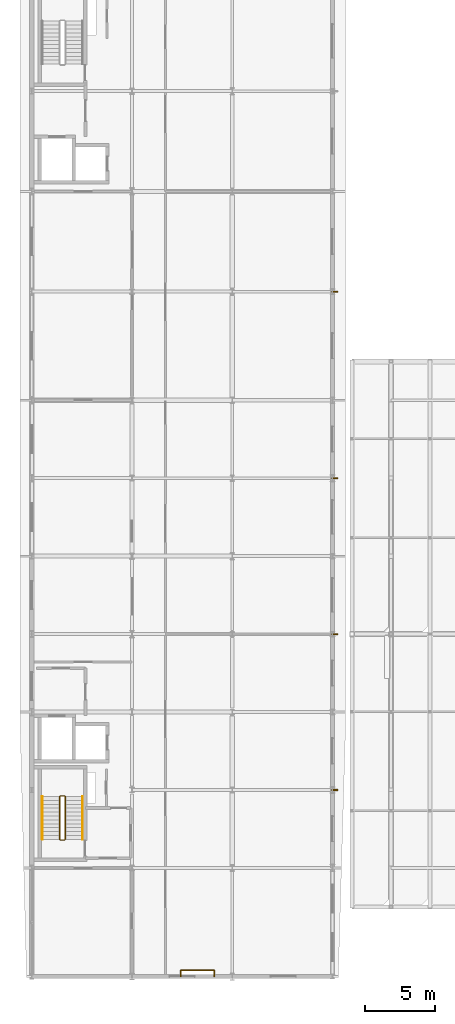
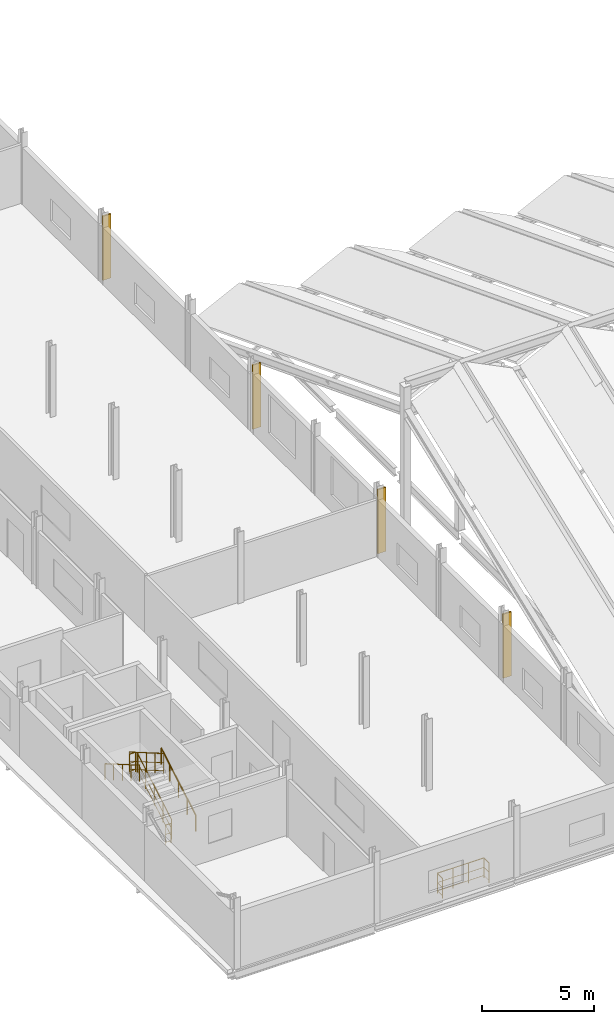
# One storey, part 47 of 49: 9 railings, 4 shading devices.
"""IFC4 building model written with IfcOpenShell, lengths in metres."""

from ifc_helpers import new_model, si_unit, direction, frame, origin, origin_2d, place, context, subcontext, project, spatial, rectangle, circle, extrude, material, type_object, element, save


model = new_model("IFC4")

# Units and contexts
model_context = context("Model", 3, precision=1e-05, world=origin(), true_north=direction((0.0, 1.0)))
body_context = subcontext(model_context, "Body", "Model", "MODEL_VIEW")
ifc_project = project(units=[si_unit("LENGTHUNIT", "METRE"), si_unit("AREAUNIT", "SQUARE_METRE"), si_unit("VOLUMEUNIT", "CUBIC_METRE"), si_unit("PLANEANGLEUNIT", "RADIAN"), si_unit("MASSUNIT", "GRAM", prefix="KILO")], contexts=[model_context])

# Site, building, storey
site_placement = place(None, origin())
site = spatial("IfcSite", under=ifc_project, at=site_placement, CompositionType="ELEMENT")
building_placement = place(site_placement, origin())
building = spatial("IfcBuilding", under=site, at=building_placement, Name="Vinh Khe Railworks Police Headquarters", CompositionType="ELEMENT")
storey_placement = place(building_placement, frame((0.0, 0.0, 17.10009765625)))
storey = spatial("IfcBuildingStorey", under=building, at=storey_placement, Name="L04", CompositionType="ELEMENT", Elevation=17.10009765625)

# Railings
ifc_material_1 = material(Name="Painted tubular steel", Category="steel")
railing_type_1 = type_object("IfcRailingType", Name="RL-GUARD-1100", PredefinedType="GUARDRAIL", material=ifc_material_1)
railing_1_placement = place(storey_placement, frame((3.0, 27.25, 0.162353515625)))
element("IfcRailing", 1, at=railing_1_placement, inside=storey, type_object=railing_type_1, Name="L04 ST-01 stair guard 1", PredefinedType="GUARDRAIL", context=body_context, shape_type="SweptSolid", body=[
    extrude(circle(Radius=0.02392578125, at=origin_2d()), frame((0.0, 0.0, 1.076171875), z_axis=(0.0, 0.864890721111, 0.501960198159), x_axis=(-1.0, 0.0, 0.0)), (0.0, 0.0, 1.0), 3.561279296875),
    extrude(circle(Radius=0.01416015625, at=origin_2d()), frame((0.0, 0.0, 0.132080078125), z_axis=(0.0, 0.864890721111, 0.501960198159), x_axis=(-1.0, 0.0, 0.0)), (0.0, 0.0, 1.0), 3.561279296875),
    extrude(circle(Radius=0.01416015625, at=origin_2d()), frame((0.0, 0.0, 0.572021484375), z_axis=(0.0, 0.864890721111, 0.501960198159), x_axis=(-1.0, 0.0, 0.0)), (0.0, 0.0, 1.0), 3.561279296875),
    extrude(circle(Radius=0.02099609375, at=origin_2d()), origin(), (0.0, 0.0, 1.0), 1.052001953125),
    extrude(circle(Radius=0.02099609375, at=origin_2d()), frame((0.0, 0.77001953125, 0.44677734375)), (0.0, 0.0, 1.0), 1.052001953125),
    extrude(circle(Radius=0.02099609375, at=origin_2d()), frame((0.0, 1.5400390625, 0.893798828125)), (0.0, 0.0, 1.0), 1.052001953125),
    extrude(circle(Radius=0.02099609375, at=origin_2d()), frame((0.0, 2.31005859375, 1.3408203125)), (0.0, 0.0, 1.0), 1.052001953125),
    extrude(circle(Radius=0.02099609375, at=origin_2d()), frame((0.0, 3.080078125, 1.78759765625)), (0.0, 0.0, 1.0), 1.052001953125),
])
railing_2_placement = place(storey_placement, frame((2.949951171875, 30.3798828125, 1.949951171875)))
element("IfcRailing", 2, at=railing_2_placement, inside=storey, type_object=railing_type_1, Name="L04 ST-01 stair guard 2", PredefinedType="GUARDRAIL", context=body_context, shape_type="SweptSolid", body=[
    extrude(circle(Radius=0.02392578125, at=origin_2d()), frame((0.0, 0.0, 1.076171875), z_axis=(-1.0, 0.0, 0.0), x_axis=(0.0, -1.0, 0.0)), (0.0, 0.0, 1.0), 0.300048828125),
    extrude(circle(Radius=0.01416015625, at=origin_2d()), frame((0.0, 0.0, 0.132080078125), z_axis=(-1.0, 0.0, 0.0), x_axis=(0.0, -1.0, 0.0)), (0.0, 0.0, 1.0), 0.300048828125),
    extrude(circle(Radius=0.01416015625, at=origin_2d()), frame((0.0, 0.0, 0.572021484375), z_axis=(-1.0, 0.0, 0.0), x_axis=(0.0, -1.0, 0.0)), (0.0, 0.0, 1.0), 0.300048828125),
    extrude(circle(Radius=0.02099609375, at=origin_2d()), origin(), (0.0, 0.0, 1.0), 1.052001953125),
    extrude(circle(Radius=0.02099609375, at=origin_2d()), frame((-0.300048828125, 0.0, 0.0)), (0.0, 0.0, 1.0), 1.052001953125),
])
railing_3_placement = place(storey_placement, frame((2.60009765625, 30.330078125, 2.1123046875)))
element("IfcRailing", 3, at=railing_3_placement, inside=storey, type_object=railing_type_1, Name="L04 ST-01 stair guard 3", PredefinedType="GUARDRAIL", context=body_context, shape_type="SweptSolid", body=[
    extrude(circle(Radius=0.02392578125, at=origin_2d()), frame((0.0, 0.0, 1.076171875), z_axis=(0.0, -0.864890721111, 0.501960198159), x_axis=(1.0, 0.0, 0.0)), (0.0, 0.0, 1.0), 3.561279296875),
    extrude(circle(Radius=0.01416015625, at=origin_2d()), frame((0.0, 0.0, 0.132080078125), z_axis=(0.0, -0.864890721111, 0.501960198159), x_axis=(1.0, 0.0, 0.0)), (0.0, 0.0, 1.0), 3.561279296875),
    extrude(circle(Radius=0.01416015625, at=origin_2d()), frame((0.0, 0.0, 0.572021484375), z_axis=(0.0, -0.864890721111, 0.501960198159), x_axis=(1.0, 0.0, 0.0)), (0.0, 0.0, 1.0), 3.561279296875),
    extrude(circle(Radius=0.02099609375, at=origin_2d()), origin(), (0.0, 0.0, 1.0), 1.052001953125),
    extrude(circle(Radius=0.02099609375, at=origin_2d()), frame((0.0, -0.77001953125, 0.44677734375)), (0.0, 0.0, 1.0), 1.052001953125),
    extrude(circle(Radius=0.02099609375, at=origin_2d()), frame((0.0, -1.5400390625, 0.893798828125)), (0.0, 0.0, 1.0), 1.052001953125),
    extrude(circle(Radius=0.02099609375, at=origin_2d()), frame((0.0, -2.31005859375, 1.3408203125)), (0.0, 0.0, 1.0), 1.052001953125),
    extrude(circle(Radius=0.02099609375, at=origin_2d()), frame((0.0, -3.080078125, 1.78759765625)), (0.0, 0.0, 1.0), 1.052001953125),
])
railing_4_placement = place(storey_placement, frame((2.949951171875, 27.199951171875, 0.0)))
element("IfcRailing", 4, at=railing_4_placement, inside=storey, type_object=railing_type_1, Name="L04 ST-01 stair guard 4", PredefinedType="GUARDRAIL", context=body_context, shape_type="SweptSolid", body=[
    extrude(circle(Radius=0.02392578125, at=origin_2d()), frame((0.0, 0.0, 1.076171875), z_axis=(-1.0, 0.0, 0.0), x_axis=(0.0, -1.0, 0.0)), (0.0, 0.0, 1.0), 0.300048828125),
    extrude(circle(Radius=0.01416015625, at=origin_2d()), frame((0.0, 0.0, 0.132080078125), z_axis=(-1.0, 0.0, 0.0), x_axis=(0.0, -1.0, 0.0)), (0.0, 0.0, 1.0), 0.300048828125),
    extrude(circle(Radius=0.01416015625, at=origin_2d()), frame((0.0, 0.0, 0.572021484375), z_axis=(-1.0, 0.0, 0.0), x_axis=(0.0, -1.0, 0.0)), (0.0, 0.0, 1.0), 0.300048828125),
    extrude(circle(Radius=0.02099609375, at=origin_2d()), origin(), (0.0, 0.0, 1.0), 1.052001953125),
    extrude(circle(Radius=0.02099609375, at=origin_2d()), frame((-0.300048828125, 0.0, 0.0)), (0.0, 0.0, 1.0), 1.052001953125),
])
railing_5_placement = place(storey_placement, frame((11.300048828125, 17.39990234375, 0.0)))
element("IfcRailing", 5, at=railing_5_placement, inside=storey, type_object=railing_type_1, Name="Slab Corner Notch Guard L04-96", PredefinedType="GUARDRAIL", context=body_context, shape_type="SweptSolid", body=[
    extrude(circle(Radius=0.02392578125, at=origin_2d()), frame((0.0, 0.0, 1.09619140625), z_axis=(0.0, 1.0, 0.0), x_axis=(-1.0, 0.0, 0.0)), (0.0, 0.0, 1.0), 0.4501953125),
    extrude(circle(Radius=0.01416015625, at=origin_2d()), frame((0.0, 0.0, 0.134521484375), z_axis=(0.0, 1.0, 0.0), x_axis=(-1.0, 0.0, 0.0)), (0.0, 0.0, 1.0), 0.4501953125),
    extrude(circle(Radius=0.01416015625, at=origin_2d()), frame((0.0, 0.0, 0.58251953125), z_axis=(0.0, 1.0, 0.0), x_axis=(-1.0, 0.0, 0.0)), (0.0, 0.0, 1.0), 0.4501953125),
    extrude(circle(Radius=0.02099609375, at=origin_2d()), origin(), (0.0, 0.0, 1.0), 1.072021484375),
    extrude(circle(Radius=0.02099609375, at=origin_2d()), frame((0.0, 0.4501953125, 0.0)), (0.0, 0.0, 1.0), 1.072021484375),
])
railing_6_placement = place(storey_placement, frame((11.300048828125, 17.85009765625, 0.0)))
element("IfcRailing", 6, at=railing_6_placement, inside=storey, type_object=railing_type_1, Name="Slab Corner Notch Guard L04-97", PredefinedType="GUARDRAIL", context=body_context, shape_type="SweptSolid", body=[
    extrude(circle(Radius=0.02392578125, at=origin_2d()), frame((0.0, 0.0, 1.09619140625), z_axis=(1.0, 0.0, 0.0), x_axis=(0.0, 1.0, 0.0)), (0.0, 0.0, 1.0), 2.39990234375),
    extrude(circle(Radius=0.01416015625, at=origin_2d()), frame((0.0, 0.0, 0.134521484375), z_axis=(1.0, 0.0, 0.0), x_axis=(0.0, 1.0, 0.0)), (0.0, 0.0, 1.0), 2.39990234375),
    extrude(circle(Radius=0.01416015625, at=origin_2d()), frame((0.0, 0.0, 0.58251953125), z_axis=(1.0, 0.0, 0.0), x_axis=(0.0, 1.0, 0.0)), (0.0, 0.0, 1.0), 2.39990234375),
    extrude(circle(Radius=0.02099609375, at=origin_2d()), origin(), (0.0, 0.0, 1.0), 1.072021484375),
    extrude(circle(Radius=0.02099609375, at=origin_2d()), frame((0.800048828125, 0.0, 0.0)), (0.0, 0.0, 1.0), 1.072021484375),
    extrude(circle(Radius=0.02099609375, at=origin_2d()), frame((1.599853515625, 0.0, 0.0)), (0.0, 0.0, 1.0), 1.072021484375),
    extrude(circle(Radius=0.02099609375, at=origin_2d()), frame((2.39990234375, 0.0, 0.0)), (0.0, 0.0, 1.0), 1.072021484375),
])
railing_7_placement = place(storey_placement, frame((13.699951171875, 17.85009765625, 0.0)))
element("IfcRailing", 7, at=railing_7_placement, inside=storey, type_object=railing_type_1, Name="Slab Corner Notch Guard L04-98", PredefinedType="GUARDRAIL", context=body_context, shape_type="SweptSolid", body=[
    extrude(circle(Radius=0.02392578125, at=origin_2d()), frame((0.0, 0.0, 1.09619140625), z_axis=(0.0, -1.0, 0.0), x_axis=(1.0, 0.0, 0.0)), (0.0, 0.0, 1.0), 0.4501953125),
    extrude(circle(Radius=0.01416015625, at=origin_2d()), frame((0.0, 0.0, 0.134521484375), z_axis=(0.0, -1.0, 0.0), x_axis=(1.0, 0.0, 0.0)), (0.0, 0.0, 1.0), 0.4501953125),
    extrude(circle(Radius=0.01416015625, at=origin_2d()), frame((0.0, 0.0, 0.58251953125), z_axis=(0.0, -1.0, 0.0), x_axis=(1.0, 0.0, 0.0)), (0.0, 0.0, 1.0), 0.4501953125),
    extrude(circle(Radius=0.02099609375, at=origin_2d()), origin(), (0.0, 0.0, 1.0), 1.072021484375),
    extrude(circle(Radius=0.02099609375, at=origin_2d()), frame((0.0, -0.4501953125, 0.0)), (0.0, 0.0, 1.0), 1.072021484375),
])
ifc_material_2 = material(Name="Brushed stainless steel", Category="steel")
railing_type_2 = type_object("IfcRailingType", Name="RL-HAND-900", PredefinedType="HANDRAIL", material=ifc_material_2)
railing_8_placement = place(storey_placement, frame((4.25, 27.25, 0.162353515625)))
element("IfcRailing", 8, at=railing_8_placement, inside=storey, type_object=railing_type_2, Name="L04 ST-01 stair handrail 1", PredefinedType="HANDRAIL", context=body_context, shape_type="SweptSolid", body=[
    extrude(circle(Radius=0.02392578125, at=origin_2d()), frame((0.0, 0.0, 0.8759765625), z_axis=(0.0, 0.864890721111, 0.501960198159), x_axis=(-1.0, 0.0, 0.0)), (0.0, 0.0, 1.0), 3.561279296875),
    extrude(circle(Radius=0.02099609375, at=origin_2d()), origin(), (0.0, 0.0, 1.0), 0.851806640625),
    extrude(circle(Radius=0.02099609375, at=origin_2d()), frame((0.0, 0.77001953125, 0.44677734375)), (0.0, 0.0, 1.0), 0.851806640625),
    extrude(circle(Radius=0.02099609375, at=origin_2d()), frame((0.0, 1.5400390625, 0.893798828125)), (0.0, 0.0, 1.0), 0.851806640625),
    extrude(circle(Radius=0.02099609375, at=origin_2d()), frame((0.0, 2.31005859375, 1.3408203125)), (0.0, 0.0, 1.0), 0.851806640625),
    extrude(circle(Radius=0.02099609375, at=origin_2d()), frame((0.0, 3.080078125, 1.78759765625)), (0.0, 0.0, 1.0), 0.851806640625),
])
railing_9_placement = place(storey_placement, frame((1.35009765625, 30.330078125, 2.1123046875)))
element("IfcRailing", 9, at=railing_9_placement, inside=storey, type_object=railing_type_2, Name="L04 ST-01 stair handrail 2", PredefinedType="HANDRAIL", context=body_context, shape_type="SweptSolid", body=[
    extrude(circle(Radius=0.02392578125, at=origin_2d()), frame((0.0, 0.0, 0.8759765625), z_axis=(0.0, -0.864890721111, 0.501960198159), x_axis=(1.0, 0.0, 0.0)), (0.0, 0.0, 1.0), 3.561279296875),
    extrude(circle(Radius=0.02099609375, at=origin_2d()), origin(), (0.0, 0.0, 1.0), 0.851806640625),
    extrude(circle(Radius=0.02099609375, at=origin_2d()), frame((0.0, -0.77001953125, 0.44677734375)), (0.0, 0.0, 1.0), 0.851806640625),
    extrude(circle(Radius=0.02099609375, at=origin_2d()), frame((0.0, -1.5400390625, 0.893798828125)), (0.0, 0.0, 1.0), 0.851806640625),
    extrude(circle(Radius=0.02099609375, at=origin_2d()), frame((0.0, -2.31005859375, 1.3408203125)), (0.0, 0.0, 1.0), 0.851806640625),
    extrude(circle(Radius=0.02099609375, at=origin_2d()), frame((0.0, -3.080078125, 1.78759765625)), (0.0, 0.0, 1.0), 0.851806640625),
])

# Shading devices
ifc_material_3 = material(Name="Salvaged ironwood timber", Category="wood")
shading_device_type = type_object("IfcShadingDeviceType", Name="SHD-MSF-01", PredefinedType="JALOUSIE", material=ifc_material_3)
for number, where, z_axis, x_axis, name in (
    (10, (22.360107421875, 30.800048828125, 0.099853515625), (0.0, 0.0, 1.0), (1.0, 0.0, 0.0), "Monsoon Court Solar Fin V5 L04-1"),
    (11, (22.360107421875, 42.0, 0.099853515625), (0.0, 0.0, 1.0), (1.0, 0.0, 0.0), "Monsoon Court Solar Fin V5 L04-2"),
    (12, (22.360107421875, 53.199951171875, 0.099853515625), (0.0, 0.0, 1.0), (1.0, 0.0, 0.0), "Monsoon Court Solar Fin V5 L04-3"),
    (13, (22.360107421875, 66.60009765625, 0.099853515625), (0.0, 0.0, 1.0), (1.0, 0.0, 0.0), "Monsoon Court Solar Fin V5 L04-4"),
):
    element("IfcShadingDevice", number, at=place(storey_placement, frame(where, z_axis=z_axis, x_axis=x_axis)), inside=storey, type_object=shading_device_type, Name=name, PredefinedType="JALOUSIE", context=body_context, shape_type="SweptSolid", body=[
        extrude(rectangle(XDim=0.419921875, YDim=0.080078125, at=origin_2d()), origin(), (0.0, 0.0, 1.0), 3.5),
    ])

save(model, "model.ifc")
